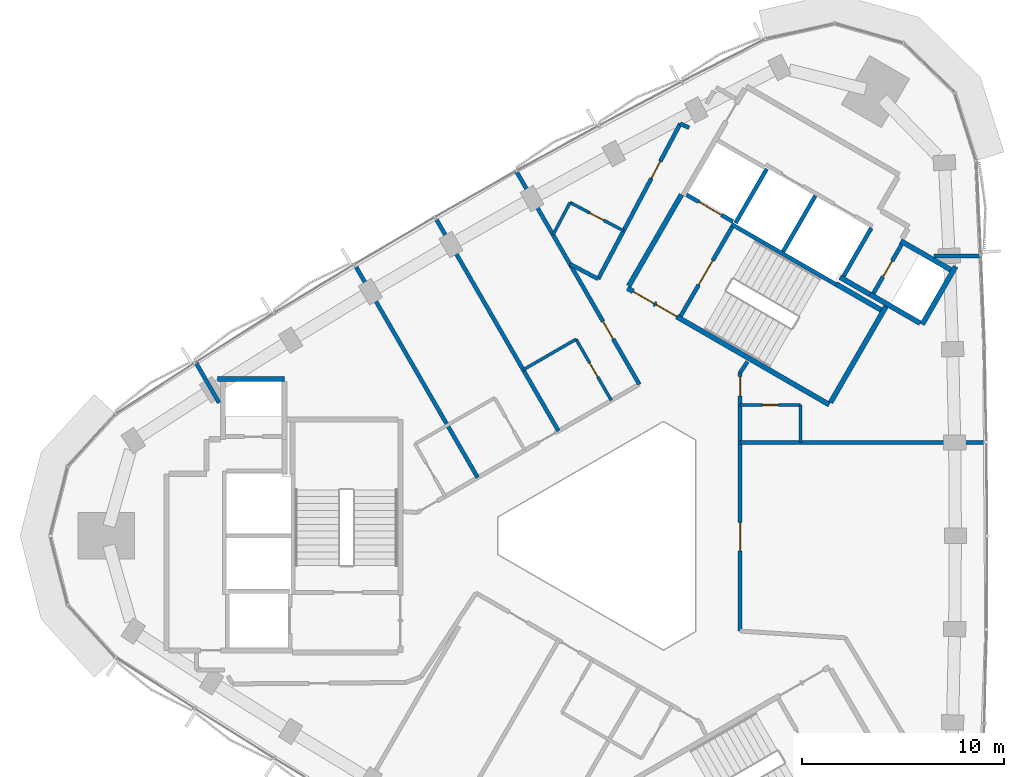
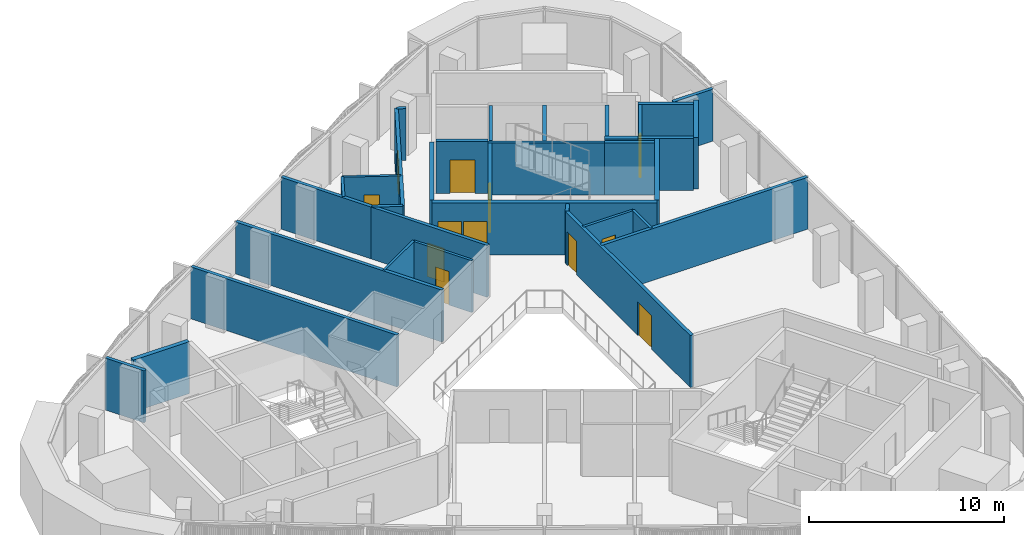
# One storey, part 10 of 14: 34 walls, 12 doors, 12 openings.
"""IFC4 building model written with IfcOpenShell, lengths in metres."""

from ifc_helpers import new_model, si_unit, direction, frame, frame_2d, origin, place, context, subcontext, project, spatial, rectangle, extrude, material, layer, layer_set, type_object, element, fill, save


model = new_model("IFC4")

# Units and contexts
model_context = context("Model", 3, precision=1e-05, world=origin(), true_north=direction((0.0, 1.0)))
body_context = subcontext(model_context, "Body", "Model", "MODEL_VIEW")
ifc_project = project(units=[si_unit("LENGTHUNIT", "METRE"), si_unit("AREAUNIT", "SQUARE_METRE"), si_unit("VOLUMEUNIT", "CUBIC_METRE"), si_unit("PLANEANGLEUNIT", "RADIAN"), si_unit("MASSUNIT", "GRAM", prefix="KILO")], contexts=[model_context])

# Site, building, storey
site_placement = place(None, origin())
site = spatial("IfcSite", under=ifc_project, at=site_placement, CompositionType="ELEMENT")
building_placement = place(site_placement, origin())
building = spatial("IfcBuilding", under=site, at=building_placement, Name="Tamra Quay Hotel Tower", CompositionType="ELEMENT")
storey_placement = place(building_placement, frame((0.0, 0.0, 228.60009765625)))
storey = spatial("IfcBuildingStorey", under=building, at=storey_placement, Name="L57", CompositionType="ELEMENT", Elevation=228.60009765625)

# Wall
ifc_material_1 = material(Name="Concrete M70", Category="concrete")
ifc_layer_1 = layer(ifc_material_1, 0.199951171875)
ifc_layer_set_1 = layer_set([ifc_layer_1], Name="Concrete M70 core wall 200")
wall_type_1 = type_object("IfcWallType", Name="Concrete M70 core wall 200", PredefinedType="SHEAR", material=ifc_layer_set_1)
wall_1_placement = place(storey_placement, frame((10.7431640625, 12.4599609375, 0.0), z_axis=(0.0, 0.0, 1.0), x_axis=(-0.866018848283, 0.500011354289, 0.0)))
element("IfcWall", 1, at=wall_1_placement, inside=storey, type_object=wall_type_1, Name="CW2", PredefinedType="SHEAR", context=body_context, shape_type="SweptSolid", body=[
    extrude(rectangle(XDim=5.973876953125, YDim=0.199951171875, at=frame_2d((2.98681640625, 0.0))), origin(), (0.0, 0.0, 1.0), 3.25),
])

# Wall, opening, door
wall_2_placement = place(storey_placement, frame((3.056640625, 10.89453125, 0.0), z_axis=(0.0, 0.0, 1.0), x_axis=(0.500027839223, 0.866009330205, 0.0)))
wall_2 = element("IfcWall", 2, at=wall_2_placement, inside=storey, type_object=wall_type_1, Name="CW2", PredefinedType="SHEAR", context=body_context, shape_type="SweptSolid", body=[
    extrude(rectangle(XDim=5.097900390625, YDim=0.199951171875, at=frame_2d((2.548828125, 0.0))), origin(), (0.0, 0.0, 1.0), 3.25),
])
opening_1_placement = place(wall_2_placement, frame((1.77392578125, 0.0, 0.0)))
opening_1 = element("IfcOpeningElement", 3, at=opening_1_placement, cuts=wall_2, Name="Opening FD2", PredefinedType="OPENING", context=body_context, shape_type="SweptSolid", body=[
    extrude(rectangle(XDim=1.39990234375, YDim=2.10009765625, at=frame_2d((0.699951171875, 1.050048828125))), frame((0.0, 0.10986328125, 0.0), z_axis=(0.0, -1.0, 0.0), x_axis=(1.0, 0.0, 0.0)), (0.0, 0.0, 1.0), 0.219970703125),
])
ifc_material_2 = material(Name="Core door FD2 1400x2100 LH")
door_type_1 = type_object("IfcDoorType", Name="Core door FD2 1400x2100 LH", OperationType="NOTDEFINED", PredefinedType="DOOR", material=ifc_material_2)
door_1_placement = place(opening_1_placement, origin())
door_1 = element("IfcDoor", 4, at=door_1_placement, inside=storey, type_object=door_type_1, Name="FD2", OperationType="SINGLE_SWING_LEFT", OverallHeight=2.10009765625, OverallWidth=1.39990234375, PredefinedType="DOOR", context=body_context, shape_type="SweptSolid", body=[
    extrude(rectangle(XDim=1.39990234375, YDim=2.10009765625, at=frame_2d((0.699951171875, 1.050048828125))), frame((0.0, 0.02490234375, 0.0), z_axis=(0.0, -1.0, 0.0), x_axis=(1.0, 0.0, 0.0)), (0.0, 0.0, 1.0), 0.050048828125),
])
fill(opening_1, door_1)

# Wall
wall_3_placement = place(storey_placement, frame((8.131591796875, 14.08447265625, 0.0), z_axis=(0.0, 0.0, 1.0), x_axis=(0.500030834389, 0.86600760081, 0.0)))
element("IfcWall", 5, at=wall_3_placement, inside=storey, type_object=wall_type_1, Name="CW2", PredefinedType="SHEAR", context=body_context, shape_type="SweptSolid", body=[
    extrude(rectangle(XDim=3.197998046875, YDim=0.199951171875, at=frame_2d((1.59912109375, 0.0))), origin(), (0.0, 0.0, 1.0), 3.25),
])

# Wall, opening, door
wall_4_placement = place(storey_placement, frame((14.0078125, 14.442138671875, 0.0), z_axis=(0.0, 0.0, 1.0), x_axis=(-0.499986818241, -0.866033014143, 0.0)))
wall_4 = element("IfcWall", 6, at=wall_4_placement, inside=storey, type_object=wall_type_1, Name="CW2", PredefinedType="SHEAR", context=body_context, shape_type="SweptSolid", body=[
    extrude(rectangle(XDim=2.7978515625, YDim=0.199951171875, at=frame_2d((1.39892578125, 0.0))), origin(), (0.0, 0.0, 1.0), 3.25),
])
opening_2_placement = place(wall_4_placement, frame((0.948974609375, 0.0, 0.0)))
opening_2 = element("IfcOpeningElement", 7, at=opening_2_placement, cuts=wall_4, Name="Opening D1", PredefinedType="OPENING", context=body_context, shape_type="SweptSolid", body=[
    extrude(rectangle(XDim=0.89990234375, YDim=2.10009765625, at=frame_2d((0.449951171875, 1.050048828125))), frame((0.0, 0.10986328125, 0.0), z_axis=(0.0, -1.0, 0.0), x_axis=(1.0, 0.0, 0.0)), (0.0, 0.0, 1.0), 0.219970703125),
])
ifc_material_3 = material(Name="Core door D1 900x2100 RH")
door_type_2 = type_object("IfcDoorType", Name="Core door D1 900x2100 RH", OperationType="NOTDEFINED", PredefinedType="DOOR", material=ifc_material_3)
door_2_placement = place(opening_2_placement, origin())
door_2 = element("IfcDoor", 8, at=door_2_placement, inside=storey, type_object=door_type_2, Name="D1", OperationType="SINGLE_SWING_RIGHT", OverallHeight=2.10009765625, OverallWidth=0.89990234375, PredefinedType="DOOR", context=body_context, shape_type="SweptSolid", body=[
    extrude(rectangle(XDim=0.89990234375, YDim=2.10009765625, at=frame_2d((0.449951171875, 1.050048828125))), frame((0.0, 0.02490234375, 0.0), z_axis=(0.0, -1.0, 0.0), x_axis=(1.0, 0.0, 0.0)), (0.0, 0.0, 1.0), 0.050048828125),
])
fill(opening_2, door_2)

# Walls
wall_5_placement = place(storey_placement, frame((12.50244140625, 15.2548828125, 0.0), z_axis=(0.0, 0.0, 1.0), x_axis=(-0.499965018551, -0.866045599391, 0.0)))
element("IfcWall", 9, at=wall_5_placement, inside=storey, type_object=wall_type_1, Name="CW2", PredefinedType="SHEAR", context=body_context, shape_type="SweptSolid", body=[
    extrude(rectangle(XDim=2.759033203125, YDim=0.199951171875, at=frame_2d((1.37939453125, 0.0))), origin(), (0.0, 0.0, 1.0), 3.25),
])
wall_6_placement = place(storey_placement, frame((7.324462890625, 18.1865234375, 0.0), z_axis=(0.0, 0.0, 1.0), x_axis=(-0.499967891604, -0.866043940782, 0.0)))
element("IfcWall", 10, at=wall_6_placement, inside=storey, type_object=wall_type_1, Name="CW2", PredefinedType="SHEAR", context=body_context, shape_type="SweptSolid", body=[
    extrude(rectangle(XDim=3.099853515625, YDim=0.199951171875, at=frame_2d((1.5498046875, 0.0))), origin(), (0.0, 0.0, 1.0), 3.25),
])

# Wall, opening, door
wall_7_placement = place(storey_placement, frame((5.646240234375, 15.575927734375, 0.0), z_axis=(0.0, 0.0, 1.0), x_axis=(-0.866018407898, 0.500012117035, 0.0)))
wall_7 = element("IfcWall", 11, at=wall_7_placement, inside=storey, type_object=wall_type_1, Name="CW2", PredefinedType="SHEAR", context=body_context, shape_type="SweptSolid", body=[
    extrude(rectangle(XDim=2.65087890625, YDim=0.199951171875, at=frame_2d((1.325439453125, 0.0))), origin(), (0.0, 0.0, 1.0), 3.25),
])
opening_3_placement = place(wall_7_placement, frame((0.65185546875, 0.0, 0.0)))
opening_3 = element("IfcOpeningElement", 12, at=opening_3_placement, cuts=wall_7, Name="Opening LD", PredefinedType="OPENING", context=body_context, shape_type="SweptSolid", body=[
    extrude(rectangle(XDim=1.300048828125, YDim=2.10009765625, at=frame_2d((0.64990234375, 1.050048828125))), frame((0.0, 0.10986328125, 0.0), z_axis=(0.0, -1.0, 0.0), x_axis=(1.0, 0.0, 0.0)), (0.0, 0.0, 1.0), 0.219970703125),
])
ifc_material_4 = material(Name="Landing door LD 1300 sliding to left")
door_type_3 = type_object("IfcDoorType", Name="Landing door LD 1300 sliding to left", OperationType="NOTDEFINED", PredefinedType="DOOR", material=ifc_material_4)
door_3_placement = place(opening_3_placement, origin())
door_3 = element("IfcDoor", 13, at=door_3_placement, inside=storey, type_object=door_type_3, Name="LD", OperationType="SLIDING_TO_LEFT", OverallHeight=2.10009765625, OverallWidth=1.300048828125, PredefinedType="DOOR", context=body_context, shape_type="SweptSolid", body=[
    extrude(rectangle(XDim=1.300048828125, YDim=2.10009765625, at=frame_2d((0.64990234375, 1.050048828125))), frame((0.0, 0.02490234375, 0.0), z_axis=(0.0, -1.0, 0.0), x_axis=(1.0, 0.0, 0.0)), (0.0, 0.0, 1.0), 0.050048828125),
])
fill(opening_3, door_3)

# Wall
ifc_layer_2 = layer(ifc_material_1, 0.25)
ifc_layer_set_2 = layer_set([ifc_layer_2], Name="Concrete M70 core wall 250")
wall_type_2 = type_object("IfcWallType", Name="Concrete M70 core wall 250", PredefinedType="SHEAR", material=ifc_layer_set_2)
wall_8_placement = place(storey_placement, frame((-19.900390625, 7.77490234375, 0.0), z_axis=(0.0, 0.0, 1.0), x_axis=(1.0, 0.0, 0.0)))
element("IfcWall", 14, at=wall_8_placement, inside=storey, type_object=wall_type_2, Name="CW1", PredefinedType="SHEAR", context=body_context, shape_type="SweptSolid", body=[
    extrude(rectangle(XDim=3.31298828125, YDim=0.25, at=frame_2d((1.656494140625, 0.0))), origin(), (0.0, 0.0, 1.0), 3.25),
])

# Wall, openings, doors
wall_9_placement = place(storey_placement, frame((10.419921875, 6.497802734375, 0.0), z_axis=(0.0, 0.0, 1.0), x_axis=(-0.866021906294, 0.500006057782, 0.0)))
wall_9 = element("IfcWall", 15, at=wall_9_placement, inside=storey, type_object=wall_type_2, Name="CW1", PredefinedType="SHEAR", context=body_context, shape_type="SweptSolid", body=[
    extrude(rectangle(XDim=11.550048828125, YDim=0.25, at=frame_2d((5.77490234375, 0.0))), origin(), (0.0, 0.0, 1.0), 3.25),
])
opening_4_placement = place(wall_9_placement, frame((10.02490234375, 0.0, 0.0)))
opening_4 = element("IfcOpeningElement", 16, at=opening_4_placement, cuts=wall_9, Name="Opening FD1", PredefinedType="OPENING", context=body_context, shape_type="SweptSolid", body=[
    extrude(rectangle(XDim=1.199951171875, YDim=2.10009765625, at=frame_2d((0.60009765625, 1.050048828125))), frame((0.0, 0.135009765625, 0.0), z_axis=(0.0, -1.0, 0.0), x_axis=(1.0, 0.0, 0.0)), (0.0, 0.0, 1.0), 0.27001953125),
])
opening_5_placement = place(wall_9_placement, frame((8.724853515625, 0.0, 0.0)))
opening_5 = element("IfcOpeningElement", 17, at=opening_5_placement, cuts=wall_9, Name="Opening FD1", PredefinedType="OPENING", context=body_context, shape_type="SweptSolid", body=[
    extrude(rectangle(XDim=1.199951171875, YDim=2.10009765625, at=frame_2d((0.60009765625, 1.050048828125))), frame((0.0, 0.135009765625, 0.0), z_axis=(0.0, -1.0, 0.0), x_axis=(1.0, 0.0, 0.0)), (0.0, 0.0, 1.0), 0.27001953125),
])
ifc_material_5 = material(Name="Core door FD1 1200x2100 LH")
door_type_4 = type_object("IfcDoorType", Name="Core door FD1 1200x2100 LH", OperationType="NOTDEFINED", PredefinedType="DOOR", material=ifc_material_5)
door_4_placement = place(opening_4_placement, origin())
door_4 = element("IfcDoor", 18, at=door_4_placement, inside=storey, type_object=door_type_4, Name="FD1", OperationType="SINGLE_SWING_LEFT", OverallHeight=2.10009765625, OverallWidth=1.199951171875, PredefinedType="DOOR", context=body_context, shape_type="SweptSolid", body=[
    extrude(rectangle(XDim=1.199951171875, YDim=2.10009765625, at=frame_2d((0.60009765625, 1.050048828125))), frame((0.0, 0.02490234375, 0.0), z_axis=(0.0, -1.0, 0.0), x_axis=(1.0, 0.0, 0.0)), (0.0, 0.0, 1.0), 0.050048828125),
])
fill(opening_4, door_4)
ifc_material_6 = material(Name="Core door FD1 1200x2100 RH")
door_type_5 = type_object("IfcDoorType", Name="Core door FD1 1200x2100 RH", OperationType="NOTDEFINED", PredefinedType="DOOR", material=ifc_material_6)
door_5_placement = place(opening_5_placement, origin())
door_5 = element("IfcDoor", 19, at=door_5_placement, inside=storey, type_object=door_type_5, Name="FD1", OperationType="SINGLE_SWING_RIGHT", OverallHeight=2.10009765625, OverallWidth=1.199951171875, PredefinedType="DOOR", context=body_context, shape_type="SweptSolid", body=[
    extrude(rectangle(XDim=1.199951171875, YDim=2.10009765625, at=frame_2d((0.60009765625, 1.050048828125))), frame((0.0, 0.02490234375, 0.0), z_axis=(0.0, -1.0, 0.0), x_axis=(1.0, 0.0, 0.0)), (0.0, 0.0, 1.0), 0.050048828125),
])
fill(opening_5, door_5)

# Walls
wall_10_placement = place(storey_placement, frame((0.47998046875, 12.38134765625, 0.0), z_axis=(0.0, 0.0, 1.0), x_axis=(0.49999885962, 0.866026062182, 0.0)))
element("IfcWall", 20, at=wall_10_placement, inside=storey, type_object=wall_type_2, Name="CW1", PredefinedType="SHEAR", context=body_context, shape_type="SweptSolid", body=[
    extrude(rectangle(XDim=5.224609375, YDim=0.25, at=frame_2d((2.6123046875, 0.0))), origin(), (0.0, 0.0, 1.0), 3.25),
])
wall_11_placement = place(storey_placement, frame((13.237548828125, 11.3779296875, 0.0), z_axis=(0.0, 0.0, 1.0), x_axis=(-0.500008851346, -0.866020293397, 0.0)))
element("IfcWall", 21, at=wall_11_placement, inside=storey, type_object=wall_type_2, Name="CW1", PredefinedType="SHEAR", context=body_context, shape_type="SweptSolid", body=[
    extrude(rectangle(XDim=5.509765625, YDim=0.25, at=frame_2d((2.7548828125, 0.0))), origin(), (0.0, 0.0, 1.0), 3.25),
])
wall_12_placement = place(storey_placement, frame((16.68359375, 13.3466796875, 0.0), z_axis=(0.0, 0.0, 1.0), x_axis=(-0.499998874531, -0.866026053573, 0.0)))
element("IfcWall", 22, at=wall_12_placement, inside=storey, type_object=wall_type_2, Name="CW1", PredefinedType="SHEAR", context=body_context, shape_type="SweptSolid", body=[
    extrude(rectangle(XDim=3.31298828125, YDim=0.25, at=frame_2d((1.656494140625, 0.0))), origin(), (0.0, 0.0, 1.0), 3.25),
])
wall_13_placement = place(storey_placement, frame((14.91845703125, 10.540283203125, 0.0), z_axis=(0.0, 0.0, 1.0), x_axis=(-0.866063538972, 0.499933942099, 0.0)))
element("IfcWall", 23, at=wall_13_placement, inside=storey, type_object=wall_type_2, Name="CW1", PredefinedType="SHEAR", context=body_context, shape_type="SweptSolid", body=[
    extrude(rectangle(XDim=2.86474609375, YDim=0.25, at=frame_2d((1.432373046875, 0.0))), origin(), (0.0, 0.0, 1.0), 3.25),
])
wall_14_placement = place(storey_placement, frame((13.962646484375, 14.61376953125, 0.0), z_axis=(0.0, 0.0, 1.0), x_axis=(0.866042235819, -0.499970844928, 0.0)))
element("IfcWall", 24, at=wall_14_placement, inside=storey, type_object=wall_type_2, Name="CW1", PredefinedType="SHEAR", context=body_context, shape_type="SweptSolid", body=[
    extrude(rectangle(XDim=2.864501953125, YDim=0.25, at=frame_2d((1.43212890625, 0.0))), origin(), (0.0, 0.0, 1.0), 3.25),
])
wall_15_placement = place(storey_placement, frame((10.756591796875, 12.481201171875, 0.0), z_axis=(0.0, 0.0, 1.0), x_axis=(0.866022940537, -0.500004266446, 0.0)))
element("IfcWall", 25, at=wall_15_placement, inside=storey, type_object=wall_type_2, Name="CW1", PredefinedType="SHEAR", context=body_context, shape_type="SweptSolid", body=[
    extrude(rectangle(XDim=2.57470703125, YDim=0.25, at=frame_2d((1.287353515625, 0.0))), origin(), (0.0, 0.0, 1.0), 3.25),
])
wall_16_placement = place(storey_placement, frame((12.4326171875, 11.9638671875, 0.0), z_axis=(0.0, 0.0, 1.0), x_axis=(-0.866038183914, 0.499977863513, 0.0)))
element("IfcWall", 26, at=wall_16_placement, inside=storey, type_object=wall_type_2, Name="CW1", PredefinedType="SHEAR", context=body_context, shape_type="SweptSolid", body=[
    extrude(rectangle(XDim=1.7099609375, YDim=0.25, at=frame_2d((0.85498046875, 0.0))), origin(), (0.0, 0.0, 1.0), 3.25),
])

# Wall, opening, door
ifc_material_7 = material(Name="Partition corridor wall")
ifc_layer_3 = layer(ifc_material_7, 0.199951171875)
ifc_layer_set_3 = layer_set([ifc_layer_3], Name="Partition corridor wall")
wall_type_3 = type_object("IfcWallType", Name="Partition corridor wall", PredefinedType="PARTITIONING", material=ifc_layer_set_3)
wall_17_placement = place(storey_placement, frame((-2.429931640625, 13.458984375, 0.0), z_axis=(0.0, 0.0, 1.0), x_axis=(0.499957265187, -0.866050075334, 0.0)))
wall_17 = element("IfcWall", 27, at=wall_17_placement, inside=storey, type_object=wall_type_3, Name="W-C", PredefinedType="PARTITIONING", context=body_context, shape_type="SweptSolid", body=[
    extrude(rectangle(XDim=6.8701171875, YDim=0.199951171875, at=frame_2d((3.43505859375, 0.0))), origin(), (0.0, 0.0, 1.0), 3.25),
])
opening_6_placement = place(wall_17_placement, frame((3.27490234375, 0.0, 0.0)))
opening_6 = element("IfcOpeningElement", 28, at=opening_6_placement, cuts=wall_17, Name="Opening L57-D003", PredefinedType="OPENING", context=body_context, shape_type="SweptSolid", body=[
    extrude(rectangle(XDim=1.0, YDim=2.10009765625, at=frame_2d((0.5, 1.050048828125))), frame((0.0, 0.10986328125, 0.0), z_axis=(0.0, -1.0, 0.0), x_axis=(1.0, 0.0, 0.0)), (0.0, 0.0, 1.0), 0.219970703125),
])
ifc_material_8 = material(Name="Door guest room 1000x2100")
door_type_6 = type_object("IfcDoorType", Name="Door guest room 1000x2100", OperationType="NOTDEFINED", PredefinedType="DOOR", material=ifc_material_8)
door_6_placement = place(opening_6_placement, frame((1.0, 0.0, 0.0), z_axis=(0.0, 0.0, 1.0), x_axis=(-1.0, 0.0, 0.0)))
door_6 = element("IfcDoor", 29, at=door_6_placement, inside=storey, type_object=door_type_6, Name="L57-D003", OperationType="SINGLE_SWING_LEFT", OverallHeight=2.10009765625, OverallWidth=1.0, PredefinedType="DOOR", context=body_context, shape_type="SweptSolid", body=[
    extrude(rectangle(XDim=1.0, YDim=2.10009765625, at=frame_2d((0.5, 1.050048828125))), frame((0.0, 0.02490234375, 0.0), z_axis=(0.0, -1.0, 0.0), x_axis=(1.0, 0.0, 0.0)), (0.0, 0.0, 1.0), 0.050048828125),
])
fill(opening_6, door_6)

# Wall
wall_18_placement = place(storey_placement, frame((-2.425048828125, 13.465087890625, 0.0), z_axis=(0.0, 0.0, 1.0), x_axis=(0.883874806572, -0.467723557572, 0.0)))
element("IfcWall", 30, at=wall_18_placement, inside=storey, type_object=wall_type_3, Name="W-C", PredefinedType="PARTITIONING", context=body_context, shape_type="SweptSolid", body=[
    extrude(rectangle(XDim=1.57177734375, YDim=0.199951171875, at=frame_2d((0.785888671875, 0.0))), origin(), (0.0, 0.0, 1.0), 3.25),
])

# Wall, opening, door
wall_19_placement = place(storey_placement, frame((-1.035400390625, 12.729736328125, 0.0), z_axis=(0.0, 0.0, 1.0), x_axis=(0.46738248691, 0.884055208078, 0.0)))
wall_19 = element("IfcWall", 31, at=wall_19_placement, inside=storey, type_object=wall_type_3, Name="W-C", PredefinedType="PARTITIONING", context=body_context, shape_type="SweptSolid", body=[
    extrude(rectangle(XDim=8.70458984375, YDim=0.199951171875, at=frame_2d((4.352294921875, 0.0))), origin(), (0.0, 0.0, 1.0), 3.25),
])
opening_7_placement = place(wall_19_placement, frame((5.637939453125, 0.0, 0.0)))
opening_7 = element("IfcOpeningElement", 32, at=opening_7_placement, cuts=wall_19, Name="Opening L57-D001", PredefinedType="OPENING", context=body_context, shape_type="SweptSolid", body=[
    extrude(rectangle(XDim=0.949951171875, YDim=2.10009765625, at=frame_2d((0.47509765625, 1.050048828125))), frame((0.0, 0.10986328125, 0.0), z_axis=(0.0, -1.0, 0.0), x_axis=(1.0, 0.0, 0.0)), (0.0, 0.0, 1.0), 0.219970703125),
])
ifc_material_9 = material(Name="Door guest room 950x2100")
door_type_7 = type_object("IfcDoorType", Name="Door guest room 950x2100", OperationType="NOTDEFINED", PredefinedType="DOOR", material=ifc_material_9)
door_7_placement = place(opening_7_placement, frame((0.949951171875, 0.0, 0.0), z_axis=(0.0, 0.0, 1.0), x_axis=(-1.0, 0.0, 0.0)))
door_7 = element("IfcDoor", 33, at=door_7_placement, inside=storey, type_object=door_type_7, Name="L57-D001", OperationType="SINGLE_SWING_LEFT", OverallHeight=2.10009765625, OverallWidth=0.949951171875, PredefinedType="DOOR", context=body_context, shape_type="SweptSolid", body=[
    extrude(rectangle(XDim=0.949951171875, YDim=2.10009765625, at=frame_2d((0.47509765625, 1.050048828125))), frame((0.0, 0.02490234375, 0.0), z_axis=(0.0, -1.0, 0.0), x_axis=(1.0, 0.0, 0.0)), (0.0, 0.0, 1.0), 0.050048828125),
])
fill(opening_7, door_7)

# Wall
wall_20_placement = place(storey_placement, frame((3.033935546875, 20.426025390625, 0.0), z_axis=(0.0, 0.0, 1.0), x_axis=(0.907930035436, -0.41912176125, 0.0)))
element("IfcWall", 34, at=wall_20_placement, inside=storey, type_object=wall_type_3, Name="W-C", PredefinedType="PARTITIONING", context=body_context, shape_type="SweptSolid", body=[
    extrude(rectangle(XDim=0.487060546875, YDim=0.199951171875, at=frame_2d((0.24365234375, 0.0))), origin(), (0.0, 0.0, 1.0), 3.25),
])

# Wall, openings, doors
wall_21_placement = place(storey_placement, frame((6.0, -4.720947265625, 0.0), z_axis=(0.0, 0.0, 1.0), x_axis=(0.0, 1.0, 0.0)))
wall_21 = element("IfcWall", 35, at=wall_21_placement, inside=storey, type_object=wall_type_3, Name="W-C", PredefinedType="PARTITIONING", context=body_context, shape_type="SweptSolid", body=[
    extrude(rectangle(XDim=12.803955078125, YDim=0.199951171875, at=frame_2d((6.40185546875, 0.0))), origin(), (0.0, 0.0, 1.0), 3.25),
])
opening_8_placement = place(wall_21_placement, frame((3.97900390625, 0.0, 0.0)))
opening_8 = element("IfcOpeningElement", 36, at=opening_8_placement, cuts=wall_21, Name="Opening L57-D016", PredefinedType="OPENING", context=body_context, shape_type="SweptSolid", body=[
    extrude(rectangle(XDim=1.39990234375, YDim=2.10009765625, at=frame_2d((0.699951171875, 1.050048828125))), frame((0.0, 0.10986328125, 0.0), z_axis=(0.0, -1.0, 0.0), x_axis=(1.0, 0.0, 0.0)), (0.0, 0.0, 1.0), 0.219970703125),
])
opening_9_placement = place(wall_21_placement, frame((11.654052734375, 0.0, 0.0)))
opening_9 = element("IfcOpeningElement", 37, at=opening_9_placement, cuts=wall_21, Name="Opening L57-D017", PredefinedType="OPENING", context=body_context, shape_type="SweptSolid", body=[
    extrude(rectangle(XDim=0.949951171875, YDim=2.10009765625, at=frame_2d((0.47509765625, 1.050048828125))), frame((0.0, 0.10986328125, 0.0), z_axis=(0.0, -1.0, 0.0), x_axis=(1.0, 0.0, 0.0)), (0.0, 0.0, 1.0), 0.219970703125),
])
ifc_material_10 = material(Name="Door double leaf 1400x2100")
door_type_8 = type_object("IfcDoorType", Name="Door double leaf 1400x2100", OperationType="DOUBLE_DOOR_SINGLE_SWING", PredefinedType="DOOR", material=ifc_material_10)
door_8_placement = place(opening_8_placement, frame((1.39990234375, 0.0, 0.0), z_axis=(0.0, 0.0, 1.0), x_axis=(-1.0, 0.0, 0.0)))
door_8 = element("IfcDoor", 38, at=door_8_placement, inside=storey, type_object=door_type_8, Name="L57-D016", OperationType="DOUBLE_DOOR_SINGLE_SWING", OverallHeight=2.10009765625, OverallWidth=1.39990234375, PredefinedType="DOOR", context=body_context, shape_type="SweptSolid", body=[
    extrude(rectangle(XDim=1.39990234375, YDim=2.10009765625, at=frame_2d((0.699951171875, 1.050048828125))), frame((0.0, 0.02490234375, 0.0), z_axis=(0.0, -1.0, 0.0), x_axis=(1.0, 0.0, 0.0)), (0.0, 0.0, 1.0), 0.050048828125),
])
fill(opening_8, door_8)
door_9_placement = place(opening_9_placement, frame((0.949951171875, 0.0, 0.0), z_axis=(0.0, 0.0, 1.0), x_axis=(-1.0, 0.0, 0.0)))
door_9 = element("IfcDoor", 39, at=door_9_placement, inside=storey, type_object=door_type_7, Name="L57-D017", OperationType="SINGLE_SWING_LEFT", OverallHeight=2.10009765625, OverallWidth=0.949951171875, PredefinedType="DOOR", context=body_context, shape_type="SweptSolid", body=[
    extrude(rectangle(XDim=0.949951171875, YDim=2.10009765625, at=frame_2d((0.47509765625, 1.050048828125))), frame((0.0, 0.02490234375, 0.0), z_axis=(0.0, -1.0, 0.0), x_axis=(1.0, 0.0, 0.0)), (0.0, 0.0, 1.0), 0.050048828125),
])
fill(opening_9, door_9)

# Walls
wall_22_placement = place(storey_placement, frame((6.0, 8.0830078125, 0.0), z_axis=(0.0, 0.0, 1.0), x_axis=(0.553665201502, 0.832739361773, 0.0)))
element("IfcWall", 40, at=wall_22_placement, inside=storey, type_object=wall_type_3, Name="W-C", PredefinedType="PARTITIONING", context=body_context, shape_type="SweptSolid", body=[
    extrude(rectangle(XDim=0.653564453125, YDim=0.199951171875, at=frame_2d((0.32666015625, 0.0))), origin(), (0.0, 0.0, 1.0), 3.25),
])
ifc_material_11 = material(Name="Partition en-suite wall")
ifc_layer_4 = layer(ifc_material_11, 0.14990234375)
ifc_layer_set_4 = layer_set([ifc_layer_4], Name="Partition en-suite wall")
wall_type_4 = type_object("IfcWallType", Name="Partition en-suite wall", PredefinedType="PARTITIONING", material=ifc_layer_set_4)
wall_23_placement = place(storey_placement, frame((-4.75, 8.22705078125, 0.0), z_axis=(0.0, 0.0, 1.0), x_axis=(0.865893821749, 0.500227837548, 0.0)))
element("IfcWall", 41, at=wall_23_placement, inside=storey, type_object=wall_type_4, Name="W-E", PredefinedType="PARTITIONING", context=body_context, shape_type="SweptSolid", body=[
    extrude(rectangle(XDim=3.0244140625, YDim=0.14990234375, at=frame_2d((1.51220703125, 0.0))), origin(), (0.0, 0.0, 1.0), 3.25),
])
wall_24_placement = place(storey_placement, frame((-3.27197265625, 14.91796875, 0.0), z_axis=(0.0, 0.0, 1.0), x_axis=(0.467162796658, 0.884171319043, 0.0)))
element("IfcWall", 42, at=wall_24_placement, inside=storey, type_object=wall_type_4, Name="W-E", PredefinedType="PARTITIONING", context=body_context, shape_type="SweptSolid", body=[
    extrude(rectangle(XDim=1.810791015625, YDim=0.14990234375, at=frame_2d((0.9052734375, 0.0))), origin(), (0.0, 0.0, 1.0), 3.25),
])

# Wall, opening, door
wall_25_placement = place(storey_placement, frame((-2.426025390625, 16.51904296875, 0.0), z_axis=(0.0, 0.0, 1.0), x_axis=(0.884056991815, -0.467379112952, 0.0)))
wall_25 = element("IfcWall", 43, at=wall_25_placement, inside=storey, type_object=wall_type_4, Name="W-E", PredefinedType="PARTITIONING", context=body_context, shape_type="SweptSolid", body=[
    extrude(rectangle(XDim=3.0, YDim=0.14990234375, at=frame_2d((1.5, 0.0))), origin(), (0.0, 0.0, 1.0), 3.25),
])
opening_10_placement = place(wall_25_placement, frame((1.10009765625, 0.0, 0.0)))
opening_10 = element("IfcOpeningElement", 44, at=opening_10_placement, cuts=wall_25, Name="Opening L57-D002", PredefinedType="OPENING", context=body_context, shape_type="SweptSolid", body=[
    extrude(rectangle(XDim=0.800048828125, YDim=2.10009765625, at=frame_2d((0.39990234375, 1.050048828125))), frame((0.0, 0.0849609375, 0.0), z_axis=(0.0, -1.0, 0.0), x_axis=(1.0, 0.0, 0.0)), (0.0, 0.0, 1.0), 0.169921875),
])
ifc_material_12 = material(Name="Door en-suite 800x2100")
door_type_9 = type_object("IfcDoorType", Name="Door en-suite 800x2100", OperationType="NOTDEFINED", PredefinedType="DOOR", material=ifc_material_12)
door_10_placement = place(opening_10_placement, origin())
door_10 = element("IfcDoor", 45, at=door_10_placement, inside=storey, type_object=door_type_9, Name="L57-D002", OperationType="SINGLE_SWING_LEFT", OverallHeight=2.10009765625, OverallWidth=0.800048828125, PredefinedType="DOOR", context=body_context, shape_type="SweptSolid", body=[
    extrude(rectangle(XDim=0.800048828125, YDim=2.10009765625, at=frame_2d((0.39990234375, 1.050048828125))), frame((0.0, 0.02490234375, 0.0), z_axis=(0.0, -1.0, 0.0), x_axis=(1.0, 0.0, 0.0)), (0.0, 0.0, 1.0), 0.050048828125),
])
fill(opening_10, door_10)

wall_26_placement = place(storey_placement, frame((-2.131103515625, 9.739990234375, 0.0), z_axis=(0.0, 0.0, 1.0), x_axis=(0.500010275428, -0.866019471182, 0.0)))
wall_26 = element("IfcWall", 46, at=wall_26_placement, inside=storey, type_object=wall_type_4, Name="W-E", PredefinedType="PARTITIONING", context=body_context, shape_type="SweptSolid", body=[
    extrude(rectangle(XDim=3.5, YDim=0.14990234375, at=frame_2d((1.75, 0.0))), origin(), (0.0, 0.0, 1.0), 3.25),
])
opening_11_placement = place(wall_26_placement, frame((1.350341796875, 0.0, 0.0)))
opening_11 = element("IfcOpeningElement", 47, at=opening_11_placement, cuts=wall_26, Name="Opening L57-D004", PredefinedType="OPENING", context=body_context, shape_type="SweptSolid", body=[
    extrude(rectangle(XDim=0.800048828125, YDim=2.10009765625, at=frame_2d((0.39990234375, 1.050048828125))), frame((0.0, 0.0849609375, 0.0), z_axis=(0.0, -1.0, 0.0), x_axis=(1.0, 0.0, 0.0)), (0.0, 0.0, 1.0), 0.169921875),
])
door_11_placement = place(opening_11_placement, frame((0.800048828125, 0.0, 0.0), z_axis=(0.0, 0.0, 1.0), x_axis=(-1.0, 0.0, 0.0)))
door_11 = element("IfcDoor", 48, at=door_11_placement, inside=storey, type_object=door_type_9, Name="L57-D004", OperationType="SINGLE_SWING_LEFT", OverallHeight=2.10009765625, OverallWidth=0.800048828125, PredefinedType="DOOR", context=body_context, shape_type="SweptSolid", body=[
    extrude(rectangle(XDim=0.800048828125, YDim=2.10009765625, at=frame_2d((0.39990234375, 1.050048828125))), frame((0.0, 0.02490234375, 0.0), z_axis=(0.0, -1.0, 0.0), x_axis=(1.0, 0.0, 0.0)), (0.0, 0.0, 1.0), 0.050048828125),
])
fill(opening_11, door_11)

wall_27_placement = place(storey_placement, frame((6.0, 6.48291015625, 0.0), z_axis=(0.0, 0.0, 1.0), x_axis=(1.0, 0.0, 0.0)))
wall_27 = element("IfcWall", 49, at=wall_27_placement, inside=storey, type_object=wall_type_4, Name="W-E", PredefinedType="PARTITIONING", context=body_context, shape_type="SweptSolid", body=[
    extrude(rectangle(XDim=3.0, YDim=0.14990234375, at=frame_2d((1.5, 0.0))), origin(), (0.0, 0.0, 1.0), 3.25),
])
opening_12_placement = place(wall_27_placement, frame((1.10009765625, 0.0, 0.0)))
opening_12 = element("IfcOpeningElement", 50, at=opening_12_placement, cuts=wall_27, Name="Opening L57-D018", PredefinedType="OPENING", context=body_context, shape_type="SweptSolid", body=[
    extrude(rectangle(XDim=0.800048828125, YDim=2.10009765625, at=frame_2d((0.39990234375, 1.050048828125))), frame((0.0, 0.0849609375, 0.0), z_axis=(0.0, -1.0, 0.0), x_axis=(1.0, 0.0, 0.0)), (0.0, 0.0, 1.0), 0.169921875),
])
door_12_placement = place(opening_12_placement, origin())
door_12 = element("IfcDoor", 51, at=door_12_placement, inside=storey, type_object=door_type_9, Name="L57-D018", OperationType="SINGLE_SWING_LEFT", OverallHeight=2.10009765625, OverallWidth=0.800048828125, PredefinedType="DOOR", context=body_context, shape_type="SweptSolid", body=[
    extrude(rectangle(XDim=0.800048828125, YDim=2.10009765625, at=frame_2d((0.39990234375, 1.050048828125))), frame((0.0, 0.02490234375, 0.0), z_axis=(0.0, -1.0, 0.0), x_axis=(1.0, 0.0, 0.0)), (0.0, 0.0, 1.0), 0.050048828125),
])
fill(opening_12, door_12)

# Walls
wall_28_placement = place(storey_placement, frame((9.0, 4.625, 0.0), z_axis=(0.0, 0.0, 1.0), x_axis=(0.0, 1.0, 0.0)))
element("IfcWall", 52, at=wall_28_placement, inside=storey, type_object=wall_type_4, Name="W-E", PredefinedType="PARTITIONING", context=body_context, shape_type="SweptSolid", body=[
    extrude(rectangle(XDim=1.85791015625, YDim=0.14990234375, at=frame_2d((0.928955078125, 0.0))), origin(), (0.0, 0.0, 1.0), 3.25),
])
ifc_material_13 = material(Name="Partition party wall")
ifc_layer_5 = layer(ifc_material_13, 0.199951171875)
ifc_layer_set_5 = layer_set([ifc_layer_5], Name="Partition party wall")
wall_type_5 = type_object("IfcWallType", Name="Partition party wall", PredefinedType="PARTITIONING", material=ifc_layer_set_5)
wall_29_placement = place(storey_placement, frame((-20.9794921875, 8.594970703125, 0.0), z_axis=(0.0, 0.0, 1.0), x_axis=(0.499950711303, -0.866053858757, 0.0)))
element("IfcWall", 53, at=wall_29_placement, inside=storey, type_object=wall_type_5, Name="W-P", PredefinedType="PARTITIONING", context=body_context, shape_type="SweptSolid", body=[
    extrude(rectangle(XDim=2.314697265625, YDim=0.199951171875, at=frame_2d((1.1572265625, 0.0))), origin(), (0.0, 0.0, 1.0), 3.25),
])
wall_30_placement = place(storey_placement, frame((-13.107421875, 13.452880859375, 0.0), z_axis=(0.0, 0.0, 1.0), x_axis=(0.500037611077, -0.86600368793, 0.0)))
element("IfcWall", 54, at=wall_30_placement, inside=storey, type_object=wall_type_5, Name="W-P", PredefinedType="PARTITIONING", context=body_context, shape_type="SweptSolid", body=[
    extrude(rectangle(XDim=12.2041015625, YDim=0.199951171875, at=frame_2d((6.10205078125, 0.0))), origin(), (0.0, 0.0, 1.0), 3.25),
])
wall_31_placement = place(storey_placement, frame((-9.119384765625, 15.794677734375, 0.0), z_axis=(0.0, 0.0, 1.0), x_axis=(0.50001601051, -0.866016159915, 0.0)))
element("IfcWall", 55, at=wall_31_placement, inside=storey, type_object=wall_type_5, Name="W-P", PredefinedType="PARTITIONING", context=body_context, shape_type="SweptSolid", body=[
    extrude(rectangle(XDim=12.23828125, YDim=0.199951171875, at=frame_2d((6.119140625, 0.0))), origin(), (0.0, 0.0, 1.0), 3.25),
])
wall_32_placement = place(storey_placement, frame((-5.0966796875, 18.078125, 0.0), z_axis=(0.0, 0.0, 1.0), x_axis=(0.50004820116, -0.865997573043, 0.0)))
element("IfcWall", 56, at=wall_32_placement, inside=storey, type_object=wall_type_5, Name="W-P", PredefinedType="PARTITIONING", context=body_context, shape_type="SweptSolid", body=[
    extrude(rectangle(XDim=5.31982421875, YDim=0.199951171875, at=frame_2d((2.659912109375, 0.0))), origin(), (0.0, 0.0, 1.0), 3.25),
])
wall_33_placement = place(storey_placement, frame((6.0009765625, 4.625, 0.0), z_axis=(0.0, 0.0, 1.0), x_axis=(1.0, 0.0, 0.0)))
element("IfcWall", 57, at=wall_33_placement, inside=storey, type_object=wall_type_5, Name="W-P", PredefinedType="PARTITIONING", context=body_context, shape_type="SweptSolid", body=[
    extrude(rectangle(XDim=12.203369140625, YDim=0.199951171875, at=frame_2d((6.1015625, 0.0))), origin(), (0.0, 0.0, 1.0), 3.25),
])
wall_34_placement = place(storey_placement, frame((15.61767578125, 13.8720703125, 0.0), z_axis=(0.0, 0.0, 1.0), x_axis=(1.0, 0.0, 0.0)))
element("IfcWall", 58, at=wall_34_placement, inside=storey, type_object=wall_type_5, Name="W-P", PredefinedType="PARTITIONING", context=body_context, shape_type="SweptSolid", body=[
    extrude(rectangle(XDim=2.315673828125, YDim=0.199951171875, at=frame_2d((1.15771484375, 0.0))), origin(), (0.0, 0.0, 1.0), 3.25),
])

save(model, "model.ifc")
